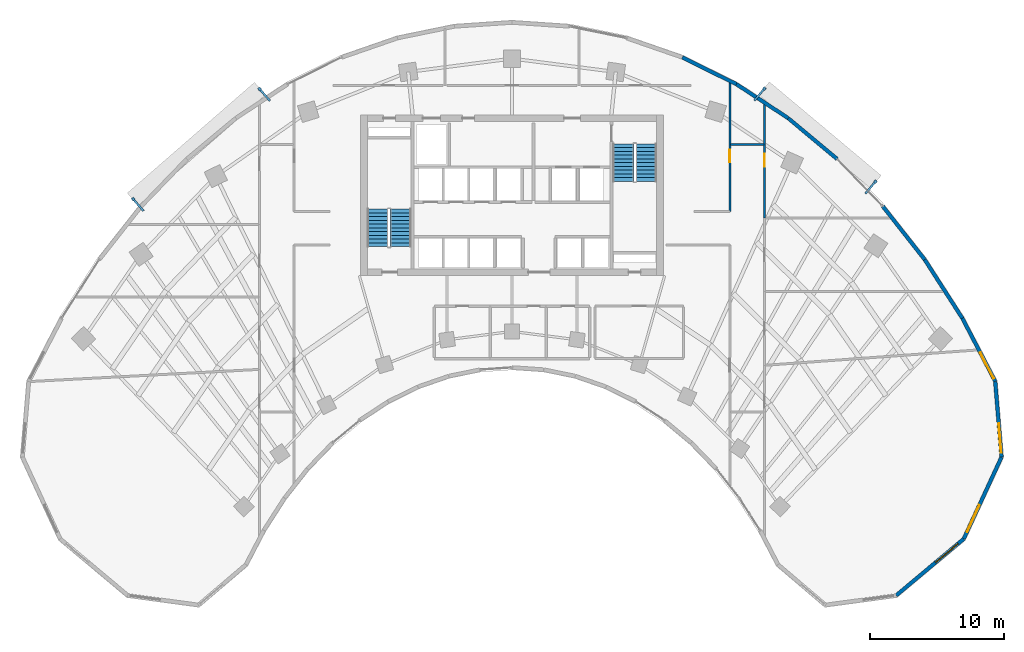
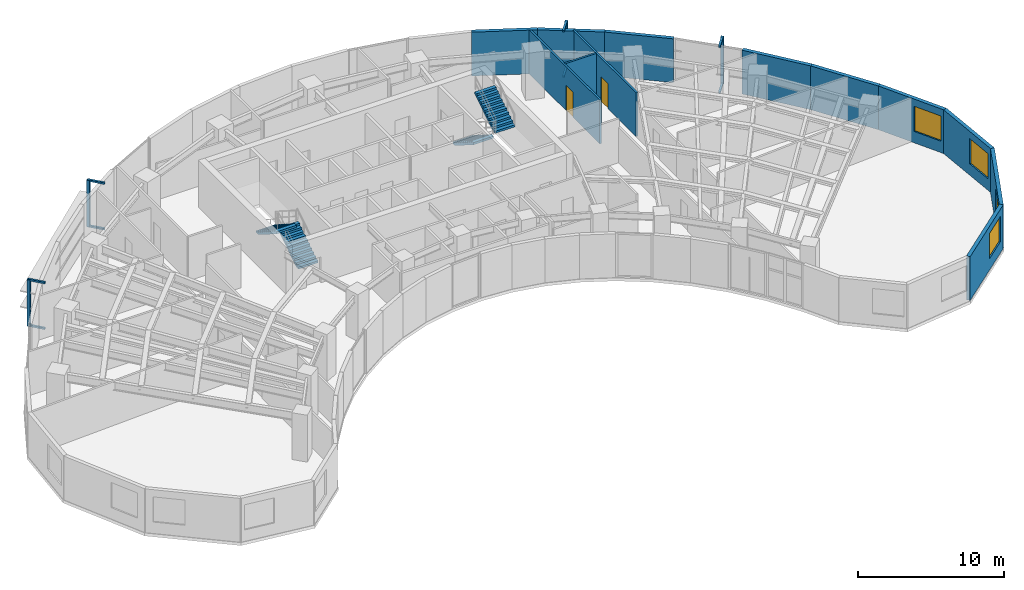
# One storey, part 11 of 13: 12 discrete accessories, 12 walls, 4 stair flights, 4 windows, 2 doors, 6 openings, 2 elements without a shape of their own.
"""IFC4 building model written with IfcOpenShell, lengths in metres."""

from ifc_helpers import new_model, si_unit, direction, frame, frame_2d, origin, origin_2d, place, context, subcontext, project, spatial, polyline, rectangle, outline, extrude, source, transform, mapped, material, layer, layer_set, type_object, type_shapes, element, fill, aggregate, save


model = new_model("IFC4")

# Units and contexts
model_context = context("Model", 3, precision=1e-05, world=origin(), true_north=direction((0.0, 1.0)))
body_context = subcontext(model_context, "Body", "Model", "MODEL_VIEW")
ifc_project = project(units=[si_unit("LENGTHUNIT", "METRE"), si_unit("AREAUNIT", "SQUARE_METRE"), si_unit("VOLUMEUNIT", "CUBIC_METRE"), si_unit("PLANEANGLEUNIT", "RADIAN"), si_unit("MASSUNIT", "GRAM", prefix="KILO")], contexts=[model_context])

# Site, building, storey
site_placement = place(None, origin())
site = spatial("IfcSite", under=ifc_project, at=site_placement, CompositionType="ELEMENT")
building_placement = place(site_placement, origin())
building = spatial("IfcBuilding", under=site, at=building_placement, Name="Breltana Convention Tower", CompositionType="ELEMENT")
storey_placement = place(building_placement, frame((0.0, 0.0, 96.0)))
storey = spatial("IfcBuildingStorey", under=building, at=storey_placement, Name="L22", CompositionType="ELEMENT", Elevation=96.0)

# Wall, opening, window
ifc_material_1 = material(Name="Limestone Buff Insulated Wall", Category="masonry")
ifc_layer_1 = layer(ifc_material_1, 0.280029296875, Name="Limestone Buff Insulated Wall")
ifc_layer_set_1 = layer_set([ifc_layer_1], Name="Limestone Buff Insulated Wall")
wall_type_1 = type_object("IfcWallType", Name="WL-EXT-NOSE-280", PredefinedType="SOLIDWALL", material=ifc_layer_set_1)
shared_shape_1 = source(origin(), body_context, "Body", "SweptSolid", [
    extrude(rectangle(XDim=5.673583984375, YDim=0.280029296875, at=frame_2d((2.8369140625, 0.0))), origin(), (0.0, 0.0, 1.0), 3.64990234375),
])
wall_1_placement = place(storey_placement, frame((84.07763671875, 52.305419921875, 0.0), z_axis=(0.0, 0.0, 1.0), x_axis=(0.083309007867, -0.996523762491, 0.0)))
wall_1 = element("IfcWall", 1, at=wall_1_placement, inside=storey, type_object=wall_type_1, Name="L22 curved limestone nose wall E1", PredefinedType="SOLIDWALL", context=body_context, shape_type="MappedRepresentation", body=[
    mapped(shared_shape_1, transform((0.0, 0.0, 0.0), scale=1.0)),
])
opening_1_placement = place(wall_1_placement, frame((3.155029296875, 0.0, 0.949951171875)))
opening_1 = element("IfcOpeningElement", 2, at=opening_1_placement, cuts=wall_1, Name="Opening W-03", PredefinedType="OPENING", context=body_context, shape_type="SweptSolid", body=[
    extrude(rectangle(XDim=2.199951171875, YDim=2.10009765625, at=frame_2d((1.10009765625, 1.050048828125))), frame((0.0, 0.14990234375, 0.0), z_axis=(0.0, -1.0, 0.0), x_axis=(1.0, 0.0, 0.0)), (0.0, 0.0, 1.0), 0.300048828125),
])
ifc_material_2 = material(Name="Glass Low-E Insulated Window", Category="glass")
window_type = type_object("IfcWindowType", Name="WN-NOSE-2200X2100", PartitioningType="TRIPLE_PANEL_VERTICAL", PredefinedType="WINDOW", material=ifc_material_2)
shared_shape_2 = source(origin(), body_context, "Body", "SweptSolid", [
    extrude(rectangle(XDim=2.199951171875, YDim=2.10009765625, at=frame_2d((1.10009765625, 1.050048828125))), frame((0.0, 0.030029296875, 0.0), z_axis=(0.0, -1.0, 0.0), x_axis=(1.0, 0.0, 0.0)), (0.0, 0.0, 1.0), 0.06005859375),
])
type_shapes(window_type, [shared_shape_2])
window_1_placement = place(opening_1_placement, origin())
window_1 = element("IfcWindow", 3, at=window_1_placement, inside=storey, type_object=window_type, Name="L22 nose window E1", OverallHeight=2.10009765625, OverallWidth=2.199951171875, PartitioningType="TRIPLE_PANEL_VERTICAL", PredefinedType="WINDOW", context=body_context, shape_type="MappedRepresentation", body=[
    mapped(shared_shape_2, transform((0.0, 0.0, 0.0), scale=1.0)),
])
fill(opening_1, window_1)

shared_shape_3 = source(origin(), body_context, "Body", "SweptSolid", [
    extrude(rectangle(XDim=6.731689453125, YDim=0.280029296875, at=frame_2d((3.36572265625, 0.0))), origin(), (0.0, 0.0, 1.0), 3.64990234375),
])
wall_2_placement = place(storey_placement, frame((84.55029296875, 46.651611328125, 0.0), z_axis=(0.0, 0.0, 1.0), x_axis=(-0.419644552709, -0.907688520023, 0.0)))
wall_2 = element("IfcWall", 4, at=wall_2_placement, inside=storey, type_object=wall_type_1, Name="L22 curved limestone nose wall E2", PredefinedType="SOLIDWALL", context=body_context, shape_type="MappedRepresentation", body=[
    mapped(shared_shape_3, transform((0.0, 0.0, 0.0), scale=1.0)),
])
opening_2_placement = place(wall_2_placement, frame((3.948974609375, 0.0, 0.949951171875)))
opening_2 = element("IfcOpeningElement", 5, at=opening_2_placement, cuts=wall_2, Name="Opening W-03", PredefinedType="OPENING", context=body_context, shape_type="SweptSolid", body=[
    extrude(rectangle(XDim=2.199951171875, YDim=2.10009765625, at=frame_2d((1.10009765625, 1.050048828125))), frame((0.0, 0.14990234375, 0.0), z_axis=(0.0, -1.0, 0.0), x_axis=(1.0, 0.0, 0.0)), (0.0, 0.0, 1.0), 0.300048828125),
])
window_2_placement = place(opening_2_placement, origin())
window_2 = element("IfcWindow", 6, at=window_2_placement, inside=storey, type_object=window_type, Name="L22 nose window E2", OverallHeight=2.10009765625, OverallWidth=2.199951171875, PartitioningType="TRIPLE_PANEL_VERTICAL", PredefinedType="WINDOW", context=body_context, shape_type="MappedRepresentation", body=[
    mapped(shared_shape_2, transform((0.0, 0.0, 0.0), scale=1.0)),
])
fill(opening_2, window_2)

shared_shape_4 = source(origin(), body_context, "Body", "SweptSolid", [
    extrude(rectangle(XDim=6.572998046875, YDim=0.280029296875, at=frame_2d((3.28662109375, 0.0))), origin(), (0.0, 0.0, 1.0), 3.64990234375),
])
wall_3_placement = place(storey_placement, frame((81.725341796875, 40.541259765625, 0.0), z_axis=(0.0, 0.0, 1.0), x_axis=(-0.766715154163, -0.641987439423, 0.0)))
wall_3 = element("IfcWall", 7, at=wall_3_placement, inside=storey, type_object=wall_type_1, Name="L22 curved limestone nose wall E3", PredefinedType="SOLIDWALL", context=body_context, shape_type="MappedRepresentation", body=[
    mapped(shared_shape_4, transform((0.0, 0.0, 0.0), scale=1.0)),
])
opening_3_placement = place(wall_3_placement, frame((0.543212890625, 0.0, 0.949951171875)))
opening_3 = element("IfcOpeningElement", 8, at=opening_3_placement, cuts=wall_3, Name="Opening W-03", PredefinedType="OPENING", context=body_context, shape_type="SweptSolid", body=[
    extrude(rectangle(XDim=2.199951171875, YDim=2.10009765625, at=frame_2d((1.10009765625, 1.050048828125))), frame((0.0, 0.14990234375, 0.0), z_axis=(0.0, -1.0, 0.0), x_axis=(1.0, 0.0, 0.0)), (0.0, 0.0, 1.0), 0.300048828125),
])
window_3_placement = place(opening_3_placement, origin())
window_3 = element("IfcWindow", 9, at=window_3_placement, inside=storey, type_object=window_type, Name="L22 nose window E3", OverallHeight=2.10009765625, OverallWidth=2.199951171875, PartitioningType="TRIPLE_PANEL_VERTICAL", PredefinedType="WINDOW", context=body_context, shape_type="MappedRepresentation", body=[
    mapped(shared_shape_2, transform((0.0, 0.0, 0.0), scale=1.0)),
])
fill(opening_3, window_3)

shared_shape_5 = source(origin(), body_context, "Body", "SweptSolid", [
    extrude(rectangle(XDim=5.315185546875, YDim=0.280029296875, at=frame_2d((2.65771484375, 0.0))), origin(), (0.0, 0.0, 1.0), 3.64990234375),
])
wall_4_placement = place(storey_placement, frame((81.623291015625, 57.02001953125, 0.0), z_axis=(0.0, 0.0, 1.0), x_axis=(0.461760527822, -0.887004630735, 0.0)))
wall_4 = element("IfcWall", 10, at=wall_4_placement, inside=storey, type_object=wall_type_1, Name="L22 curved limestone nose wall E34", PredefinedType="SOLIDWALL", context=body_context, shape_type="MappedRepresentation", body=[
    mapped(shared_shape_5, transform((0.0, 0.0, 0.0), scale=1.0)),
])
opening_4_placement = place(wall_4_placement, frame((2.886474609375, 0.0, 0.949951171875)))
opening_4 = element("IfcOpeningElement", 11, at=opening_4_placement, cuts=wall_4, Name="Opening W-03", PredefinedType="OPENING", context=body_context, shape_type="SweptSolid", body=[
    extrude(rectangle(XDim=2.199951171875, YDim=2.10009765625, at=frame_2d((1.10009765625, 1.050048828125))), frame((0.0, 0.14990234375, 0.0), z_axis=(0.0, -1.0, 0.0), x_axis=(1.0, 0.0, 0.0)), (0.0, 0.0, 1.0), 0.300048828125),
])
window_4_placement = place(opening_4_placement, origin())
window_4 = element("IfcWindow", 12, at=window_4_placement, inside=storey, type_object=window_type, Name="L22 nose window E34", OverallHeight=2.10009765625, OverallWidth=2.199951171875, PartitioningType="TRIPLE_PANEL_VERTICAL", PredefinedType="WINDOW", context=body_context, shape_type="MappedRepresentation", body=[
    mapped(shared_shape_2, transform((0.0, 0.0, 0.0), scale=1.0)),
])
fill(opening_4, window_4)

# Walls
shared_shape_6 = source(origin(), body_context, "Body", "SweptSolid", [
    extrude(rectangle(XDim=5.05810546875, YDim=0.280029296875, at=frame_2d((2.529052734375, 0.0))), origin(), (0.0, 0.0, 1.0), 3.64990234375),
])
wall_5_placement = place(storey_placement, frame((75.684814453125, 65.37646484375, 0.0), z_axis=(0.0, 0.0, 1.0), x_axis=(0.618145507434, -0.786063694391, 0.0)))
element("IfcWall", 13, at=wall_5_placement, inside=storey, type_object=wall_type_1, Name="L22 curved limestone nose wall E32", PredefinedType="SOLIDWALL", context=body_context, shape_type="MappedRepresentation", body=[
    mapped(shared_shape_6, transform((0.0, 0.0, 0.0), scale=1.0)),
])
shared_shape_7 = source(origin(), body_context, "Body", "SweptSolid", [
    extrude(rectangle(XDim=4.76220703125, YDim=0.280029296875, at=frame_2d((2.381103515625, 0.0))), origin(), (0.0, 0.0, 1.0), 3.64990234375),
])
wall_6_placement = place(storey_placement, frame((68.6181640625, 71.957763671875, 0.0), z_axis=(0.0, 0.0, 1.0), x_axis=(0.767952279762, -0.640507061638, 0.0)))
element("IfcWall", 14, at=wall_6_placement, inside=storey, type_object=wall_type_1, Name="L22 curved limestone nose wall E31", PredefinedType="SOLIDWALL", context=body_context, shape_type="MappedRepresentation", body=[
    mapped(shared_shape_7, transform((0.0, 0.0, 0.0), scale=1.0)),
])
shared_shape_8 = source(origin(), body_context, "Body", "SweptSolid", [
    extrude(rectangle(XDim=4.625732421875, YDim=0.280029296875, at=frame_2d((2.31298828125, 0.0))), origin(), (0.0, 0.0, 1.0), 3.64990234375),
])
wall_7_placement = place(storey_placement, frame((64.751220703125, 74.496337890625, 0.0), z_axis=(0.0, 0.0, 1.0), x_axis=(0.83595938331, -0.548791316855, 0.0)))
element("IfcWall", 15, at=wall_7_placement, inside=storey, type_object=wall_type_1, Name="L22 curved limestone nose wall E30", PredefinedType="SOLIDWALL", context=body_context, shape_type="MappedRepresentation", body=[
    mapped(shared_shape_8, transform((0.0, 0.0, 0.0), scale=1.0)),
])
shared_shape_9 = source(origin(), body_context, "Body", "SweptSolid", [
    extrude(rectangle(XDim=4.505615234375, YDim=0.280029296875, at=frame_2d((2.2529296875, 0.0))), origin(), (0.0, 0.0, 1.0), 3.64990234375),
])
wall_8_placement = place(storey_placement, frame((60.71435546875, 76.497314453125, 0.0), z_axis=(0.0, 0.0, 1.0), x_axis=(0.89597155075, -0.444111450254, 0.0)))
element("IfcWall", 16, at=wall_8_placement, inside=storey, type_object=wall_type_1, Name="L22 curved limestone nose wall E29", PredefinedType="SOLIDWALL", context=body_context, shape_type="MappedRepresentation", body=[
    mapped(shared_shape_9, transform((0.0, 0.0, 0.0), scale=1.0)),
])
shared_shape_10 = source(origin(), body_context, "Body", "SweptSolid", [
    extrude(rectangle(XDim=5.205078125, YDim=0.280029296875, at=frame_2d((2.6025390625, 0.0))), origin(), (0.0, 0.0, 1.0), 3.64990234375),
])
wall_9_placement = place(storey_placement, frame((78.8115234375, 61.400390625, 0.0), z_axis=(0.0, 0.0, 1.0), x_axis=(0.540188528895, -0.8415440293, 0.0)))
element("IfcWall", 17, at=wall_9_placement, inside=storey, type_object=wall_type_1, Name="L22 curved limestone nose wall E33", PredefinedType="SOLIDWALL", context=body_context, shape_type="MappedRepresentation", body=[
    mapped(shared_shape_10, transform((0.0, 0.0, 0.0), scale=1.0)),
])
ifc_material_3 = material(Name="Gypsum Acoustic Drywall Partition")
ifc_layer_2 = layer(ifc_material_3, 0.14990234375, Name="Gypsum Acoustic Drywall Partition")
ifc_layer_set_2 = layer_set([ifc_layer_2], Name="Gypsum Acoustic Drywall Partition")
wall_type_2 = type_object("IfcWallType", Name="WL-PART-150", PredefinedType="PARTITIONING", material=ifc_layer_set_2)
shared_shape_11 = source(origin(), body_context, "Body", "SweptSolid", [
    extrude(rectangle(XDim=2.5, YDim=0.14990234375, at=frame_2d((1.25, 0.0))), origin(), (0.0, 0.0, 1.0), 3.64990234375),
])
wall_10_placement = place(storey_placement, frame((64.300048828125, 70.0, 0.0), z_axis=(0.0, 0.0, 1.0), x_axis=(1.0, 0.0, 0.0)))
element("IfcWall", 18, at=wall_10_placement, inside=storey, type_object=wall_type_2, Name="L22 interior partition W-L22-CORNE-N", PredefinedType="PARTITIONING", context=body_context, shape_type="MappedRepresentation", body=[
    mapped(shared_shape_11, transform((0.0, 0.0, 0.0), scale=1.0)),
])

# Wall, opening, door
shared_shape_12 = source(origin(), body_context, "Body", "SweptSolid", [
    extrude(rectangle(XDim=8.613037109375, YDim=0.14990234375, at=frame_2d((4.306640625, 0.0))), origin(), (0.0, 0.0, 1.0), 3.64990234375),
])
wall_11_placement = place(storey_placement, frame((66.840087890625, 64.5, 0.0), z_axis=(0.0, 0.0, 1.0), x_axis=(0.0, 1.0, 0.0)))
wall_11 = element("IfcWall", 19, at=wall_11_placement, inside=storey, type_object=wall_type_2, Name="L22 interior partition W-L22-ZE4-W", PredefinedType="PARTITIONING", context=body_context, shape_type="MappedRepresentation", body=[
    mapped(shared_shape_12, transform((0.0, 0.0, 0.0), scale=1.0)),
])
opening_5_placement = place(wall_11_placement, frame((3.83154296875, 0.0, 0.0)))
opening_5 = element("IfcOpeningElement", 20, at=opening_5_placement, cuts=wall_11, Name="Opening D-17", PredefinedType="OPENING", context=body_context, shape_type="SweptSolid", body=[
    extrude(rectangle(XDim=0.949951171875, YDim=2.10009765625, at=frame_2d((0.47509765625, 1.050048828125))), frame((0.0, 0.0849609375, 0.0), z_axis=(0.0, -1.0, 0.0), x_axis=(1.0, 0.0, 0.0)), (0.0, 0.0, 1.0), 0.169921875),
])
ifc_material_4 = material(Name="Timber Oak Veneer Door", Category="wood")
door_type = type_object("IfcDoorType", Name="DR-INT-950", OperationType="NOTDEFINED", PredefinedType="DOOR", material=ifc_material_4)
shared_shape_13 = source(origin(), body_context, "Body", "SweptSolid", [
    extrude(rectangle(XDim=0.949951171875, YDim=2.10009765625, at=frame_2d((0.47509765625, 1.050048828125))), frame((0.0, 0.02490234375, 0.0), z_axis=(0.0, -1.0, 0.0), x_axis=(1.0, 0.0, 0.0)), (0.0, 0.0, 1.0), 0.050048828125),
])
type_shapes(door_type, [shared_shape_13])
door_1_placement = place(opening_5_placement, origin())
door_1 = element("IfcDoor", 21, at=door_1_placement, inside=storey, type_object=door_type, Name="L22 interior door D-L22-ZE4", OperationType="SINGLE_SWING_RIGHT", OverallHeight=2.10009765625, OverallWidth=0.949951171875, PredefinedType="DOOR", context=body_context, shape_type="MappedRepresentation", body=[
    mapped(shared_shape_13, transform((0.0, 0.0, 0.0), scale=1.0)),
])
fill(opening_5, door_1)

shared_shape_14 = source(origin(), body_context, "Body", "SweptSolid", [
    extrude(rectangle(XDim=9.728515625, YDim=0.14990234375, at=frame_2d((4.8642578125, 0.0))), origin(), (0.0, 0.0, 1.0), 3.64990234375),
])
wall_12_placement = place(storey_placement, frame((64.260009765625, 65.0, 0.0), z_axis=(0.0, 0.0, 1.0), x_axis=(0.0, 1.0, 0.0)))
wall_12 = element("IfcWall", 22, at=wall_12_placement, inside=storey, type_object=wall_type_2, Name="L22 interior partition W-L22-ZME2-D", PredefinedType="PARTITIONING", context=body_context, shape_type="MappedRepresentation", body=[
    mapped(shared_shape_14, transform((0.0, 0.0, 0.0), scale=1.0)),
])
opening_6_placement = place(wall_12_placement, frame((3.64990234375, 0.0, 0.0)))
opening_6 = element("IfcOpeningElement", 23, at=opening_6_placement, cuts=wall_12, Name="Opening D-17", PredefinedType="OPENING", context=body_context, shape_type="SweptSolid", body=[
    extrude(rectangle(XDim=0.949951171875, YDim=2.10009765625, at=frame_2d((0.47509765625, 1.050048828125))), frame((0.0, 0.0849609375, 0.0), z_axis=(0.0, -1.0, 0.0), x_axis=(1.0, 0.0, 0.0)), (0.0, 0.0, 1.0), 0.169921875),
])
door_2_placement = place(opening_6_placement, origin())
door_2 = element("IfcDoor", 24, at=door_2_placement, inside=storey, type_object=door_type, Name="L22 interior door D-L22-ZME2", OperationType="SINGLE_SWING_LEFT", OverallHeight=2.10009765625, OverallWidth=0.949951171875, PredefinedType="DOOR", context=body_context, shape_type="MappedRepresentation", body=[
    mapped(shared_shape_13, transform((0.0, 0.0, 0.0), scale=1.0)),
])
fill(opening_6, door_2)

# Stair, stair flights
ifc_material_5 = material(Name="Concrete C40/50", Category="concrete")
stair_type = type_object("IfcStairType", Name="ST-DOG-1560-R177", PredefinedType="HALF_TURN_STAIR", material=ifc_material_5)
stair_1_placement = place(storey_placement, origin())
stair_1 = element("IfcStair", 25, at=stair_1_placement, inside=storey, type_object=stair_type, Name="L22 Protected Core Exit Stair ST-1", PredefinedType="HALF_TURN_STAIR")
stair_flight_type = type_object("IfcStairFlightType", Name="STF-DOG-1560-N11-R177", PredefinedType="STRAIGHT", material=ifc_material_5)
stair_flight_1_placement = place(storey_placement, frame((39.68994140625, 62.360107421875, 0.0), z_axis=(0.0, 0.0, 1.0), x_axis=(0.0, 1.0, 0.0)))
stair_flight_1 = element("IfcStairFlight", 26, at=stair_flight_1_placement, type_object=stair_flight_type, Name="ST-1 flight 1", NumberOfRisers=11, NumberOfTreads=10, PredefinedType="STRAIGHT", RiserHeight=0.177272727, TreadLength=0.28, context=body_context, shape_type="SweptSolid", body=[
    extrude(outline(polyline([(0.0, 0.0), (0.0, 0.17724609375), (0.280029296875, 0.17724609375), (0.280029296875, 0.3544921875), (0.56005859375, 0.3544921875), (0.56005859375, 0.53173828125), (0.840087890625, 0.53173828125), (0.840087890625, 0.708984375), (1.1201171875, 0.708984375), (1.1201171875, 0.886474609375), (1.39990234375, 0.886474609375), (1.39990234375, 1.063720703125), (1.679931640625, 1.063720703125), (1.679931640625, 1.240966796875), (1.9599609375, 1.240966796875), (1.9599609375, 1.418212890625), (2.239990234375, 1.418212890625), (2.239990234375, 1.595458984375), (2.52001953125, 1.595458984375), (2.52001953125, 1.772705078125), (2.800048828125, 1.772705078125), (2.800048828125, 1.949951171875), (2.800048828125, 1.59521484375), (0.2802734375, 0.0), (0.0, 0.0)])), frame((0.0, 0.780029296875, 0.0), z_axis=(0.0, -1.0, 0.0), x_axis=(1.0, 0.0, 0.0)), (0.0, 0.0, 1.0), 1.56005859375),
])
stair_flight_2_placement = place(storey_placement, frame((37.97998046875, 65.159912109375, 1.949951171875), z_axis=(0.0, 0.0, 1.0), x_axis=(0.0, -1.0, 0.0)))
stair_flight_2 = element("IfcStairFlight", 27, at=stair_flight_2_placement, type_object=stair_flight_type, Name="ST-1 flight 2", NumberOfRisers=11, NumberOfTreads=10, PredefinedType="STRAIGHT", RiserHeight=0.177272727, TreadLength=0.28, context=body_context, shape_type="SweptSolid", body=[
    extrude(outline(polyline([(0.0, 0.0), (0.0, 0.17724609375), (0.280029296875, 0.17724609375), (0.280029296875, 0.3544921875), (0.56005859375, 0.3544921875), (0.56005859375, 0.53173828125), (0.840087890625, 0.53173828125), (0.840087890625, 0.708984375), (1.1201171875, 0.708984375), (1.1201171875, 0.886474609375), (1.39990234375, 0.886474609375), (1.39990234375, 1.063720703125), (1.679931640625, 1.063720703125), (1.679931640625, 1.240966796875), (1.9599609375, 1.240966796875), (1.9599609375, 1.418212890625), (2.239990234375, 1.418212890625), (2.239990234375, 1.595458984375), (2.52001953125, 1.595458984375), (2.52001953125, 1.772705078125), (2.800048828125, 1.772705078125), (2.800048828125, 1.949951171875), (2.800048828125, 1.59521484375), (0.2802734375, 0.0), (0.0, 0.0)])), frame((0.0, 0.780029296875, 0.0), z_axis=(0.0, -1.0, 0.0), x_axis=(1.0, 0.0, 0.0)), (0.0, 0.0, 1.0), 1.56005859375),
])
aggregate(stair_1, [stair_flight_1, stair_flight_2])

stair_2_placement = place(storey_placement, origin())
stair_2 = element("IfcStair", 28, at=stair_2_placement, inside=storey, type_object=stair_type, Name="L22 Protected Core Exit Stair ST-2", PredefinedType="HALF_TURN_STAIR")
stair_flight_3_placement = place(storey_placement, frame((56.31005859375, 70.0400390625, 0.0), z_axis=(0.0, 0.0, 1.0), x_axis=(0.0, -1.0, 0.0)))
stair_flight_3 = element("IfcStairFlight", 29, at=stair_flight_3_placement, type_object=stair_flight_type, Name="ST-2 flight 1", NumberOfRisers=11, NumberOfTreads=10, PredefinedType="STRAIGHT", RiserHeight=0.177272727, TreadLength=0.28, context=body_context, shape_type="SweptSolid", body=[
    extrude(outline(polyline([(0.0, 0.0), (0.0, 0.17724609375), (0.280029296875, 0.17724609375), (0.280029296875, 0.3544921875), (0.56005859375, 0.3544921875), (0.56005859375, 0.53173828125), (0.840087890625, 0.53173828125), (0.840087890625, 0.708984375), (1.1201171875, 0.708984375), (1.1201171875, 0.886474609375), (1.39990234375, 0.886474609375), (1.39990234375, 1.063720703125), (1.679931640625, 1.063720703125), (1.679931640625, 1.240966796875), (1.9599609375, 1.240966796875), (1.9599609375, 1.418212890625), (2.239990234375, 1.418212890625), (2.239990234375, 1.595458984375), (2.52001953125, 1.595458984375), (2.52001953125, 1.772705078125), (2.800048828125, 1.772705078125), (2.800048828125, 1.949951171875), (2.800048828125, 1.59521484375), (0.2802734375, 0.0), (0.0, 0.0)])), frame((0.0, 0.780029296875, 0.0), z_axis=(0.0, -1.0, 0.0), x_axis=(1.0, 0.0, 0.0)), (0.0, 0.0, 1.0), 1.56005859375),
])
stair_flight_4_placement = place(storey_placement, frame((58.02001953125, 67.239990234375, 1.949951171875), z_axis=(0.0, 0.0, 1.0), x_axis=(0.0, 1.0, 0.0)))
stair_flight_4 = element("IfcStairFlight", 30, at=stair_flight_4_placement, type_object=stair_flight_type, Name="ST-2 flight 2", NumberOfRisers=11, NumberOfTreads=10, PredefinedType="STRAIGHT", RiserHeight=0.177272727, TreadLength=0.28, context=body_context, shape_type="SweptSolid", body=[
    extrude(outline(polyline([(0.0, 0.0), (0.0, 0.17724609375), (0.280029296875, 0.17724609375), (0.280029296875, 0.3544921875), (0.56005859375, 0.3544921875), (0.56005859375, 0.53173828125), (0.840087890625, 0.53173828125), (0.840087890625, 0.708984375), (1.1201171875, 0.708984375), (1.1201171875, 0.886474609375), (1.39990234375, 0.886474609375), (1.39990234375, 1.063720703125), (1.679931640625, 1.063720703125), (1.679931640625, 1.240966796875), (1.9599609375, 1.240966796875), (1.9599609375, 1.418212890625), (2.239990234375, 1.418212890625), (2.239990234375, 1.595458984375), (2.52001953125, 1.595458984375), (2.52001953125, 1.772705078125), (2.800048828125, 1.772705078125), (2.800048828125, 1.949951171875), (2.800048828125, 1.59521484375), (0.2802734375, 0.0), (0.0, 0.0)])), frame((0.0, 0.780029296875, 0.0), z_axis=(0.0, -1.0, 0.0), x_axis=(1.0, 0.0, 0.0)), (0.0, 0.0, 1.0), 1.56005859375),
])
aggregate(stair_2, [stair_flight_3, stair_flight_4])

# Discrete accessories
ifc_material_6 = material(Name="Steel S355", Category="steel")
discrete_accessory_type_1 = type_object("IfcDiscreteAccessoryType", Name="ACC-DSF-BRACKET-150", PredefinedType="BRACKET", material=ifc_material_6)
shared_shape_15 = source(origin(), body_context, "Body", "SweptSolid", [
    extrude(rectangle(XDim=1.239990234375, YDim=0.14990234375, at=origin_2d()), origin(), (0.0, 0.0, 1.0), 0.139892578125),
])
type_shapes(discrete_accessory_type_1, [shared_shape_15])
for number, where, z_axis, x_axis, name in (
    (31, (20.080322265625, 65.49853515625, -0.16015625), (0.0, 0.0, 1.0), (-0.656454255701, 0.754365833115, 0.0), "L22 double-skin slab stand-off bracket 1.1B"),
    (32, (20.080322265625, 65.49853515625, 3.64990234375), (0.0, 0.0, 1.0), (-0.656454255701, 0.754365833115, 0.0), "L22 double-skin slab stand-off bracket 1.1T"),
    (33, (29.520751953125, 73.713623046875, -0.16015625), (0.0, 0.0, 1.0), (-0.656454255701, 0.754365833115, 0.0), "L22 double-skin slab stand-off bracket 1.2B"),
    (34, (29.520751953125, 73.713623046875, 3.64990234375), (0.0, 0.0, 1.0), (-0.656454255701, 0.754365833115, 0.0), "L22 double-skin slab stand-off bracket 1.2T"),
    (35, (66.487060546875, 73.735595703125, -0.16015625), (0.0, 0.0, 1.0), (0.641987488939, 0.766715112702, 0.0), "L22 double-skin slab stand-off bracket 2.1B"),
    (36, (66.487060546875, 73.735595703125, 3.64990234375), (0.0, 0.0, 1.0), (0.641987488939, 0.766715112702, 0.0), "L22 double-skin slab stand-off bracket 2.1T"),
    (37, (74.777099609375, 66.794189453125, -0.16015625), (0.0, 0.0, 1.0), (0.641987488939, 0.766715112702, 0.0), "L22 double-skin slab stand-off bracket 2.2B"),
    (38, (74.777099609375, 66.794189453125, 3.64990234375), (0.0, 0.0, 1.0), (0.641987488939, 0.766715112702, 0.0), "L22 double-skin slab stand-off bracket 2.2T"),
):
    element("IfcDiscreteAccessory", number, at=place(storey_placement, frame(where, z_axis=z_axis, x_axis=x_axis)), inside=storey, type_object=discrete_accessory_type_1, Name=name, PredefinedType="BRACKET", context=body_context, shape_type="MappedRepresentation", body=[
        mapped(shared_shape_15, transform((0.0, 0.0, 0.0), scale=1.0)),
    ])
discrete_accessory_type_2 = type_object("IfcDiscreteAccessoryType", Name="ACC-DSF-CARRIER-150", PredefinedType="BRACKET", material=ifc_material_6)
shared_shape_16 = source(origin(), body_context, "Body", "SweptSolid", [
    extrude(rectangle(XDim=0.219970703125, YDim=0.219970703125, at=origin_2d()), origin(), (0.0, 0.0, 1.0), 3.8701171875),
])
for number, where, z_axis, x_axis, name in (
    (39, (19.712646484375, 65.9208984375, -0.1201171875), (0.0, 0.0, 1.0), (-0.656454255701, 0.754365833115, 0.0), "L22 double-skin outer vertical carrier 1.1"),
    (40, (29.153076171875, 74.135986328125, -0.1201171875), (0.0, 0.0, 1.0), (-0.656454255701, 0.754365833115, 0.0), "L22 double-skin outer vertical carrier 1.2"),
    (41, (66.8466796875, 74.1650390625, -0.1201171875), (0.0, 0.0, 1.0), (0.641987488939, 0.766715112702, 0.0), "L22 double-skin outer vertical carrier 2.1"),
    (42, (75.13671875, 67.2236328125, -0.1201171875), (0.0, 0.0, 1.0), (0.641987488939, 0.766715112702, 0.0), "L22 double-skin outer vertical carrier 2.2"),
):
    element("IfcDiscreteAccessory", number, at=place(storey_placement, frame(where, z_axis=z_axis, x_axis=x_axis)), inside=storey, type_object=discrete_accessory_type_2, Name=name, PredefinedType="BRACKET", context=body_context, shape_type="MappedRepresentation", body=[
        mapped(shared_shape_16, transform((0.0, 0.0, 0.0), scale=1.0)),
    ])

save(model, "model.ifc")
